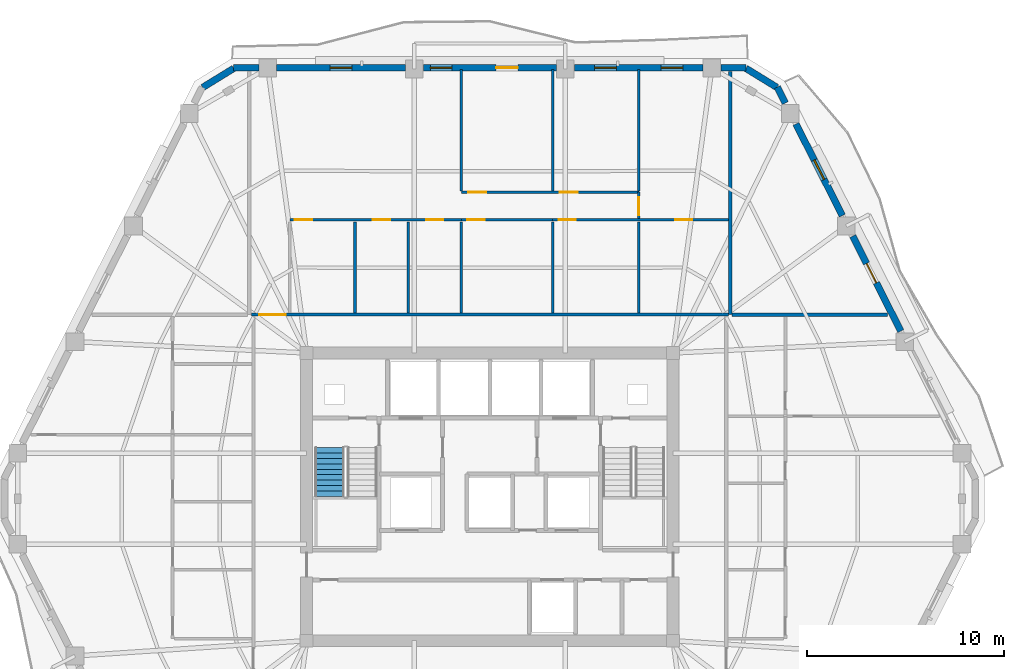
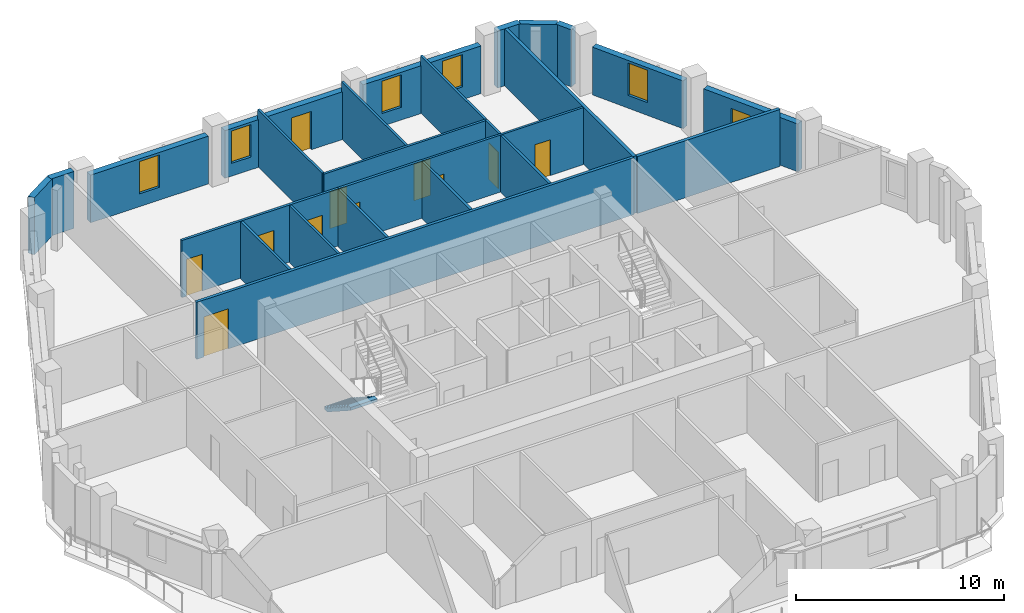
# One storey, part 7 of 12: 26 walls, 12 doors, 5 windows, 1 stair flight, 17 openings, 1 element without a shape of its own.
"""IFC4 building model written with IfcOpenShell, lengths in metres."""

import ifcopenshell
import ifcopenshell.guid

model = None  # the IFC model being written
_history = None  # IfcOwnerHistory: only IFC2X3 demands one
_inside = {}  # id of a spatial element -> (the spatial element, [elements in it])
_under = {}  # id of a project, library or spatial element -> (it, [spatial elements below it])
_declared = {}  # id of a project -> (the project, [libraries it declares])
_typed = {}  # id of a type object -> (the type object, [elements of that type])
_made_of = {}  # id of a material, layer set ... -> (it, [elements and type objects made of it])


def new_model(schema):
    """Start an empty IFC model of exactly this schema.

    Asked for "IFC4X3", IfcOpenShell would pick the latest addendum, in which some entities
    have other attributes; the version numbers below select the first issue.
    IFC2X3 requires an IfcOwnerHistory on every rooted entity: one is made here for all.
    """
    global model, _history
    if schema == "IFC4X3":
        model = ifcopenshell.file(schema_version=(4, 3, 0, 0))
    else:
        model = ifcopenshell.file(schema=schema)
    _inside.clear()
    _under.clear()
    _declared.clear()
    _typed.clear()
    _made_of.clear()
    _history = None
    if model.schema == "IFC2X3":
        org = make("IfcOrganization", Name="unknown")
        user = make(
            "IfcPersonAndOrganization",
            ThePerson=make("IfcPerson", FamilyName="unknown"),
            TheOrganization=org,
        )
        app = make(
            "IfcApplication",
            ApplicationDeveloper=org,
            Version="unknown",
            ApplicationFullName="unknown",
            ApplicationIdentifier="unknown",
        )
        _history = make(
            "IfcOwnerHistory",
            OwningUser=user,
            OwningApplication=app,
            ChangeAction="ADDED",
            CreationDate=0,
        )
    return model


def make(cls, **values):
    """One entity of the class cls with the attributes given. An attribute that is None is left unset."""
    return model.create_entity(
        cls, **{name: value for name, value in values.items() if value is not None}
    )


def rooted(cls, **values):
    """An entity with a GlobalId (a new one), such as an element, a storey or a relation."""
    return make(cls, GlobalId=ifcopenshell.guid.new(), OwnerHistory=_history, **values)


def si_unit(unit_type, name, prefix=None):
    """IfcSIUnit, for example si_unit("LENGTHUNIT", "METRE", prefix="MILLI")."""
    return make("IfcSIUnit", UnitType=unit_type, Prefix=prefix, Name=name)


def assignment(units):
    """IfcUnitAssignment: the units of a project."""
    return None if units is None else make("IfcUnitAssignment", Units=units)


def point(xyz):
    """IfcCartesianPoint."""
    return None if xyz is None else make("IfcCartesianPoint", Coordinates=xyz)


def direction(xyz):
    """IfcDirection."""
    return None if xyz is None else make("IfcDirection", DirectionRatios=xyz)


def frame(location, z_axis=None, x_axis=None):
    """IfcAxis2Placement3D, a coordinate frame: its origin and axes. An axis left out is left unset."""
    return make(
        "IfcAxis2Placement3D",
        Location=point(location),
        Axis=direction(z_axis),
        RefDirection=direction(x_axis),
    )


def frame_2d(location, x_axis=None):
    """IfcAxis2Placement2D, a coordinate frame in the plane: its origin and x axis."""
    return make(
        "IfcAxis2Placement2D", Location=point(location), RefDirection=direction(x_axis)
    )


def origin():
    """The frame at (0, 0, 0) with its axes left unset."""
    return frame((0.0, 0.0, 0.0))


def place(relative_to, where):
    """IfcLocalPlacement: puts the frame where relative to a parent placement (None: the world)."""
    return make(
        "IfcLocalPlacement", PlacementRelTo=relative_to, RelativePlacement=where
    )


def context(
    kind, dimensions, precision=None, world=None, true_north=None, identifier=None
):
    """IfcGeometricRepresentationContext, for example the 3D "Model" context."""
    return make(
        "IfcGeometricRepresentationContext",
        ContextIdentifier=identifier,
        ContextType=kind,
        CoordinateSpaceDimension=dimensions,
        Precision=precision,
        WorldCoordinateSystem=world,
        TrueNorth=true_north,
    )


def subcontext(parent, identifier, kind, view, scale=None):
    """IfcGeometricRepresentationSubContext, for example "Body" below "Model"."""
    return make(
        "IfcGeometricRepresentationSubContext",
        ContextIdentifier=identifier,
        ContextType=kind,
        ParentContext=parent,
        TargetScale=scale,
        TargetView=view,
    )


def project(units=None, contexts=None):
    """IfcProject with its units and contexts."""
    return rooted(
        "IfcProject",
        Name="project",
        RepresentationContexts=contexts,
        UnitsInContext=assignment(units),
    )


def spatial(cls, under=None, at=None, **own):
    """A site, building, storey or space (cls), placed at a placement, below another one or the project."""
    s = rooted(cls, ObjectPlacement=at, **own)
    if under is not None:
        _under.setdefault(under.id(), (under, []))[1].append(s)
    return s


def polyline(points):
    """IfcPolyline through the points."""
    return make("IfcPolyline", Points=[point(p) for p in points])


def profile(cls, at=None, kind="AREA", **sizes):
    """A parametric profile (cls). Its sizes go by their IFC names, for example OverallWidth=200.0."""
    return make(cls, ProfileType=kind, Position=at, **sizes)


def rectangle(**sizes):
    """IfcRectangleProfileDef."""
    return profile("IfcRectangleProfileDef", **sizes)


def outline(outer, holes=None, kind="AREA"):
    """IfcArbitraryClosedProfileDef: a profile drawn as a closed curve; with holes, ...WithVoids."""
    if holes is None:
        return make("IfcArbitraryClosedProfileDef", ProfileType=kind, OuterCurve=outer)
    return make(
        "IfcArbitraryProfileDefWithVoids",
        ProfileType=kind,
        OuterCurve=outer,
        InnerCurves=holes,
    )


def extrude(swept, where, along, depth):
    """IfcExtrudedAreaSolid: the profile swept, set in the frame where, extruded along a direction by depth."""
    return make(
        "IfcExtrudedAreaSolid",
        SweptArea=swept,
        Position=where,
        ExtrudedDirection=direction(along),
        Depth=depth,
    )


def shape(context_of_items, identifier, shape_type, items):
    """IfcShapeRepresentation: the items that make up one representation, for example the "Body"."""
    return make(
        "IfcShapeRepresentation",
        ContextOfItems=context_of_items,
        RepresentationIdentifier=identifier,
        RepresentationType=shape_type,
        Items=items,
    )


def material(Name=None, Category=None):
    """IfcMaterial."""
    return make("IfcMaterial", Name=Name, Category=Category)


def layer(
    of_material, thickness, ventilated=None, Name=None, Category=None, Priority=None
):
    """IfcMaterialLayer: one layer of a wall or slab, of a material (None: an air gap)."""
    return make(
        "IfcMaterialLayer",
        Material=of_material,
        LayerThickness=thickness,
        IsVentilated=ventilated,
        Name=Name,
        Category=Category,
        Priority=Priority,
    )


def layer_set(layers, Name=None):
    """IfcMaterialLayerSet."""
    return make("IfcMaterialLayerSet", MaterialLayers=layers, LayerSetName=Name)


def made_of(thing, what):
    """Note that an element or type object is made of a material, layer set ...; save() writes the relation."""
    if what is not None:
        _made_of.setdefault(what.id(), (what, []))[1].append(thing)
    return thing


def type_object(cls, material=None, **own):
    """A type object (cls), such as IfcWallType, which elements share."""
    return made_of(rooted(cls, **own), material)


def element(
    cls,
    number,
    at=None,
    inside=None,
    cuts=None,
    type_object=None,
    material=None,
    context=None,
    identifier="Body",
    shape_type=None,
    held_by="IfcProductDefinitionShape",
    body=None,
    shapes=None,
    **own,
):
    """One element of the class cls, such as IfcWall. Its Tag is "e" and its number.

    at: its placement. inside: the storey or other place that contains it. cuts: it is an
    opening in that element (IfcRelVoidsElement). A single representation is given by context,
    identifier, shape_type and body (its items); several are given by shapes. held_by: the class
    of the entity that holds the representations. save() writes the other relations.
    """
    e = rooted(cls, Tag="e%d" % number, ObjectPlacement=at, **own)
    if body is not None:
        shapes = [shape(context, identifier, shape_type, body)]
    if shapes is not None:
        e.Representation = make(held_by, Representations=shapes)
    if inside is not None:
        _inside.setdefault(inside.id(), (inside, []))[1].append(e)
    if cuts is not None:
        rooted(
            "IfcRelVoidsElement", RelatingBuildingElement=cuts, RelatedOpeningElement=e
        )
    if type_object is not None:
        _typed.setdefault(type_object.id(), (type_object, []))[1].append(e)
    return made_of(e, material)


def fill(opening, filler):
    """IfcRelFillsElement: the door or window that sits in an opening."""
    return rooted(
        "IfcRelFillsElement",
        RelatingOpeningElement=opening,
        RelatedBuildingElement=filler,
    )


def aggregate(whole, parts):
    """IfcRelAggregates: a whole, such as a stair, and the parts it consists of."""
    return rooted("IfcRelAggregates", RelatingObject=whole, RelatedObjects=parts)


def save(model, path):
    """Write the relations noted so far, then the file.

    IfcRelAggregates (storeys below a building ...), IfcRelContainedInSpatialStructure (elements
    in a storey), IfcRelDefinesByType, IfcRelAssociatesMaterial and IfcRelDeclares: one each for
    every whole, place, type object, material and project.
    """
    for whole, parts in _under.values():
        aggregate(whole, parts)
    for where, things in _inside.values():
        rooted(
            "IfcRelContainedInSpatialStructure",
            RelatedElements=things,
            RelatingStructure=where,
        )
    for kind, things in _typed.values():
        rooted("IfcRelDefinesByType", RelatedObjects=things, RelatingType=kind)
    for what, things in _made_of.values():
        rooted("IfcRelAssociatesMaterial", RelatedObjects=things, RelatingMaterial=what)
    for by, libraries in _declared.values():
        rooted("IfcRelDeclares", RelatingContext=by, RelatedDefinitions=libraries)
    model.write(path)


model = new_model("IFC4")

# Units and contexts
model_context = context("Model", 3, precision=1e-05, world=origin(), true_north=direction((0.0, 1.0)))
body_context = subcontext(model_context, "Body", "Model", "MODEL_VIEW")
ifc_project = project(units=[si_unit("LENGTHUNIT", "METRE"), si_unit("AREAUNIT", "SQUARE_METRE"), si_unit("VOLUMEUNIT", "CUBIC_METRE"), si_unit("PLANEANGLEUNIT", "RADIAN"), si_unit("MASSUNIT", "GRAM", prefix="KILO")], contexts=[model_context])

# Site, building, storey
site_placement = place(None, origin())
site = spatial("IfcSite", under=ifc_project, at=site_placement, CompositionType="ELEMENT")
building_placement = place(site_placement, origin())
building = spatial("IfcBuilding", under=site, at=building_placement, Name="Cinnabar Lancet Tower", CompositionType="ELEMENT")
storey_placement = place(building_placement, frame((0.0, 0.0, 157.050048828125)))
storey = spatial("IfcBuildingStorey", under=building, at=storey_placement, Name="L41", CompositionType="ELEMENT", Elevation=157.050048828125)

# Wall, opening, door
ifc_material_1 = material(Name="Acoustic twin-stud gypsum partition", Category="gypsum")
ifc_layer_1 = layer(ifc_material_1, 0.159912109375)
ifc_layer_set_1 = layer_set([ifc_layer_1], Name="Acoustic twin-stud gypsum partition")
wall_type_1 = type_object("IfcWallType", Name="ARC-WL-CORR-160", PredefinedType="PARTITIONING", material=ifc_layer_set_1)
wall_1_placement = place(storey_placement, frame((20.294921875, 35.14990234375, 0.0), z_axis=(0.0, 0.0, 1.0), x_axis=(1.0, 0.0, 0.0)))
wall_1 = element("IfcWall", 1, at=wall_1_placement, inside=storey, type_object=wall_type_1, Name="L41 Unit N01 Corridor Wall", PredefinedType="PARTITIONING", context=body_context, shape_type="SweptSolid", body=[
    extrude(rectangle(XDim=24.2099609375, YDim=0.159912109375, at=frame_2d((12.10498046875, 0.0))), origin(), (0.0, 0.0, 1.0), 3.33984375),
])
opening_1_placement = place(wall_1_placement, frame((0.405029296875, 0.0, 0.0)))
opening_1 = element("IfcOpeningElement", 2, at=opening_1_placement, cuts=wall_1, Name="Opening UD-02", PredefinedType="OPENING", context=body_context, shape_type="SweptSolid", body=[
    extrude(rectangle(XDim=1.35009765625, YDim=2.35009765625, at=frame_2d((0.675048828125, 1.175048828125))), frame((0.0, 0.08984375, 0.0), z_axis=(0.0, -1.0, 0.0), x_axis=(1.0, 0.0, 0.0)), (0.0, 0.0, 1.0), 0.179931640625),
])
ifc_material_2 = material(Name="Double-leaf solid timber penthouse entrance door", Category="wood")
door_type_1 = type_object("IfcDoorType", Name="ARC-DR-UNIT-PH", OperationType="NOTDEFINED", PredefinedType="DOOR", material=ifc_material_2)
door_1_placement = place(opening_1_placement, origin())
door_1 = element("IfcDoor", 3, at=door_1_placement, inside=storey, type_object=door_type_1, Name="DR-L41-N01-ENT", OperationType="SINGLE_SWING_RIGHT", OverallHeight=2.35009765625, OverallWidth=1.35009765625, PredefinedType="DOOR", context=body_context, shape_type="SweptSolid", body=[
    extrude(rectangle(XDim=1.35009765625, YDim=2.35009765625, at=frame_2d((0.675048828125, 1.175048828125))), frame((0.0, 0.02490234375, 0.0), z_axis=(0.0, -1.0, 0.0), x_axis=(1.0, 0.0, 0.0)), (0.0, 0.0, 1.0), 0.050048828125),
])
fill(opening_1, door_1)

# Walls
ifc_material_3 = material(Name="Fire-rated twin-frame acoustic drywall", Category="gypsum")
ifc_layer_2 = layer(ifc_material_3, 0.179931640625)
ifc_layer_set_2 = layer_set([ifc_layer_2], Name="Fire-rated twin-frame acoustic drywall")
wall_type_2 = type_object("IfcWallType", Name="ARC-WL-PARTY-180", PredefinedType="PARTITIONING", material=ifc_layer_set_2)
wall_2_placement = place(storey_placement, frame((44.60009765625, 35.14990234375, 0.0), z_axis=(0.0, 0.0, 1.0), x_axis=(0.0, 1.0, 0.0)))
element("IfcWall", 4, at=wall_2_placement, inside=storey, type_object=wall_type_2, Name="PW-L41-NPTY-446", PredefinedType="PARTITIONING", context=body_context, shape_type="SweptSolid", body=[
    extrude(rectangle(XDim=12.34521484375, YDim=0.179931640625, at=frame_2d((6.172607421875, 0.0))), origin(), (0.0, 0.0, 1.0), 3.33984375),
])
wall_3_placement = place(storey_placement, frame((44.695068359375, 35.14990234375, 0.0), z_axis=(0.0, 0.0, 1.0), x_axis=(1.0, 0.0, 0.0)))
element("IfcWall", 5, at=wall_3_placement, inside=storey, type_object=wall_type_2, Name="PW-L41-ENB", PredefinedType="PARTITIONING", context=body_context, shape_type="SweptSolid", body=[
    extrude(rectangle(XDim=7.89501953125, YDim=0.179931640625, at=frame_2d((3.947509765625, 0.0))), origin(), (0.0, 0.0, 1.0), 3.33984375),
])

# Wall, openings, doors
ifc_material_4 = material(Name="Gypsum plasterboard stud partition", Category="gypsum")
ifc_layer_3 = layer(ifc_material_4, 0.125)
ifc_layer_set_3 = layer_set([ifc_layer_3], Name="Gypsum plasterboard stud partition")
wall_type_3 = type_object("IfcWallType", Name="ARC-WL-UNIT-125", PredefinedType="PARTITIONING", material=ifc_layer_set_3)
wall_4_placement = place(storey_placement, frame((35.591064453125, 39.965087890625, 0.0), z_axis=(0.0, 0.0, 1.0), x_axis=(1.0, 0.0, 0.0)))
wall_4 = element("IfcWall", 6, at=wall_4_placement, inside=storey, type_object=wall_type_3, Name="UW-L41-N01-SP2", PredefinedType="PARTITIONING", context=body_context, shape_type="SweptSolid", body=[
    extrude(rectangle(XDim=8.913818359375, YDim=0.125, at=frame_2d((4.45703125, 0.0))), origin(), (0.0, 0.0, 1.0), 3.33984375),
])
opening_2_placement = place(wall_4_placement, frame((6.216064453125, 0.0, 0.0)))
opening_2 = element("IfcOpeningElement", 7, at=opening_2_placement, cuts=wall_4, Name="Opening BD-01", PredefinedType="OPENING", context=body_context, shape_type="SweptSolid", body=[
    extrude(rectangle(XDim=0.860107421875, YDim=2.10009765625, at=frame_2d((0.43017578125, 1.050048828125))), frame((0.0, 0.072509765625, 0.0), z_axis=(0.0, -1.0, 0.0), x_axis=(1.0, 0.0, 0.0)), (0.0, 0.0, 1.0), 0.14501953125),
])
opening_3_placement = place(wall_4_placement, frame((0.300048828125, 0.0, 0.0)))
opening_3 = element("IfcOpeningElement", 8, at=opening_3_placement, cuts=wall_4, Name="Opening RD-02", PredefinedType="OPENING", context=body_context, shape_type="SweptSolid", body=[
    extrude(rectangle(XDim=0.8798828125, YDim=2.14990234375, at=frame_2d((0.43994140625, 1.074951171875))), frame((0.0, 0.072509765625, 0.0), z_axis=(0.0, -1.0, 0.0), x_axis=(1.0, 0.0, 0.0)), (0.0, 0.0, 1.0), 0.14501953125),
])
ifc_material_5 = material(Name="Moisture-resistant timber bathroom door", Category="wood")
door_type_2 = type_object("IfcDoorType", Name="ARC-DR-BATH", OperationType="NOTDEFINED", PredefinedType="DOOR", material=ifc_material_5)
door_2_placement = place(opening_2_placement, origin())
door_2 = element("IfcDoor", 9, at=door_2_placement, inside=storey, type_object=door_type_2, Name="DR-L41-N01-ENS", OperationType="SINGLE_SWING_LEFT", OverallHeight=2.10009765625, OverallWidth=0.860107421875, PredefinedType="DOOR", context=body_context, shape_type="SweptSolid", body=[
    extrude(rectangle(XDim=0.860107421875, YDim=2.10009765625, at=frame_2d((0.43017578125, 1.050048828125))), frame((0.0, 0.02490234375, 0.0), z_axis=(0.0, -1.0, 0.0), x_axis=(1.0, 0.0, 0.0)), (0.0, 0.0, 1.0), 0.050048828125),
])
fill(opening_2, door_2)
ifc_material_6 = material(Name="Engineered timber study door", Category="wood")
door_type_3 = type_object("IfcDoorType", Name="ARC-DR-STUDY", OperationType="NOTDEFINED", PredefinedType="DOOR", material=ifc_material_6)
door_3_placement = place(opening_3_placement, origin())
door_3 = element("IfcDoor", 10, at=door_3_placement, inside=storey, type_object=door_type_3, Name="DR-L41-N01-DRS", OperationType="SINGLE_SWING_RIGHT", OverallHeight=2.14990234375, OverallWidth=0.8798828125, PredefinedType="DOOR", context=body_context, shape_type="SweptSolid", body=[
    extrude(rectangle(XDim=0.8798828125, YDim=2.14990234375, at=frame_2d((0.43994140625, 1.074951171875))), frame((0.0, 0.02490234375, 0.0), z_axis=(0.0, -1.0, 0.0), x_axis=(1.0, 0.0, 0.0)), (0.0, 0.0, 1.0), 0.050048828125),
])
fill(opening_3, door_3)

# Walls
wall_5_placement = place(storey_placement, frame((28.2529296875, 35.235107421875, 0.0), z_axis=(0.0, 0.0, 1.0), x_axis=(0.0, 1.0, 0.0)))
element("IfcWall", 11, at=wall_5_placement, inside=storey, type_object=wall_type_3, Name="UW-L41-N01-STD", PredefinedType="PARTITIONING", context=body_context, shape_type="SweptSolid", body=[
    extrude(rectangle(XDim=4.625, YDim=0.125, at=frame_2d((2.3125, 0.0))), origin(), (0.0, 0.0, 1.0), 3.33984375),
])
wall_6_placement = place(storey_placement, frame((30.949951171875, 41.429931640625, 0.0), z_axis=(0.0, 0.0, 1.0), x_axis=(0.0, 1.0, 0.0)))
element("IfcWall", 12, at=wall_6_placement, inside=storey, type_object=wall_type_3, Name="UW-L41-N01-BD2W", PredefinedType="PARTITIONING", context=body_context, shape_type="SweptSolid", body=[
    extrude(rectangle(XDim=6.155029296875, YDim=0.125, at=frame_2d((3.07763671875, 0.0))), origin(), (0.0, 0.0, 1.0), 3.33984375),
])

# Wall, openings, doors
wall_7_placement = place(storey_placement, frame((30.949951171875, 41.364990234375, 0.0), z_axis=(0.0, 0.0, 1.0), x_axis=(1.0, 0.0, 0.0)))
wall_7 = element("IfcWall", 13, at=wall_7_placement, inside=storey, type_object=wall_type_3, Name="UW-L41-N01-HLN", PredefinedType="PARTITIONING", context=body_context, shape_type="SweptSolid", body=[
    extrude(rectangle(XDim=9.009033203125, YDim=0.125, at=frame_2d((4.50439453125, 0.0))), origin(), (0.0, 0.0, 1.0), 3.33984375),
])
opening_4_placement = place(wall_7_placement, frame((0.35009765625, 0.0, 0.0)))
opening_4 = element("IfcOpeningElement", 14, at=opening_4_placement, cuts=wall_7, Name="Opening RD-01", PredefinedType="OPENING", context=body_context, shape_type="SweptSolid", body=[
    extrude(rectangle(XDim=0.919921875, YDim=2.14990234375, at=frame_2d((0.4599609375, 1.074951171875))), frame((0.0, 0.072509765625, 0.0), z_axis=(0.0, -1.0, 0.0), x_axis=(1.0, 0.0, 0.0)), (0.0, 0.0, 1.0), 0.14501953125),
])
opening_5_placement = place(wall_7_placement, frame((4.990966796875, 0.0, 0.0)))
opening_5 = element("IfcOpeningElement", 15, at=opening_5_placement, cuts=wall_7, Name="Opening RD-01", PredefinedType="OPENING", context=body_context, shape_type="SweptSolid", body=[
    extrude(rectangle(XDim=0.919921875, YDim=2.14990234375, at=frame_2d((0.4599609375, 1.074951171875))), frame((0.0, 0.072509765625, 0.0), z_axis=(0.0, -1.0, 0.0), x_axis=(1.0, 0.0, 0.0)), (0.0, 0.0, 1.0), 0.14501953125),
])
ifc_material_7 = material(Name="Engineered timber bedroom door", Category="wood")
door_type_4 = type_object("IfcDoorType", Name="ARC-DR-ROOM", OperationType="NOTDEFINED", PredefinedType="DOOR", material=ifc_material_7)
door_4_placement = place(opening_4_placement, origin())
door_4 = element("IfcDoor", 16, at=door_4_placement, inside=storey, type_object=door_type_4, Name="DR-L41-N01-BD2", OperationType="SINGLE_SWING_LEFT", OverallHeight=2.14990234375, OverallWidth=0.919921875, PredefinedType="DOOR", context=body_context, shape_type="SweptSolid", body=[
    extrude(rectangle(XDim=0.919921875, YDim=2.14990234375, at=frame_2d((0.4599609375, 1.074951171875))), frame((0.0, 0.02490234375, 0.0), z_axis=(0.0, -1.0, 0.0), x_axis=(1.0, 0.0, 0.0)), (0.0, 0.0, 1.0), 0.050048828125),
])
fill(opening_4, door_4)
door_5_placement = place(opening_5_placement, origin())
door_5 = element("IfcDoor", 17, at=door_5_placement, inside=storey, type_object=door_type_4, Name="DR-L41-N01-BD3", OperationType="SINGLE_SWING_RIGHT", OverallHeight=2.14990234375, OverallWidth=0.919921875, PredefinedType="DOOR", context=body_context, shape_type="SweptSolid", body=[
    extrude(rectangle(XDim=0.919921875, YDim=2.14990234375, at=frame_2d((0.4599609375, 1.074951171875))), frame((0.0, 0.02490234375, 0.0), z_axis=(0.0, -1.0, 0.0), x_axis=(1.0, 0.0, 0.0)), (0.0, 0.0, 1.0), 0.050048828125),
])
fill(opening_5, door_5)

# Wall, opening, door
wall_8_placement = place(storey_placement, frame((39.958984375, 40.034912109375, 0.0), z_axis=(0.0, 0.0, 1.0), x_axis=(0.0, 1.0, 0.0)))
wall_8 = element("IfcWall", 18, at=wall_8_placement, inside=storey, type_object=wall_type_3, Name="UW-L41-N01-MBE", PredefinedType="PARTITIONING", context=body_context, shape_type="SweptSolid", body=[
    extrude(rectangle(XDim=1.330078125, YDim=0.125, at=frame_2d((0.6650390625, 0.0))), origin(), (0.0, 0.0, 1.0), 3.33984375),
])
opening_6_placement = place(wall_8_placement, frame((0.159912109375, 0.0, 0.0)))
opening_6 = element("IfcOpeningElement", 19, at=opening_6_placement, cuts=wall_8, Name="Opening RD-01", PredefinedType="OPENING", context=body_context, shape_type="SweptSolid", body=[
    extrude(rectangle(XDim=0.919921875, YDim=2.14990234375, at=frame_2d((0.4599609375, 1.074951171875))), frame((0.0, 0.072509765625, 0.0), z_axis=(0.0, -1.0, 0.0), x_axis=(1.0, 0.0, 0.0)), (0.0, 0.0, 1.0), 0.14501953125),
])
door_6_placement = place(opening_6_placement, origin())
door_6 = element("IfcDoor", 20, at=door_6_placement, inside=storey, type_object=door_type_4, Name="DR-L41-N01-MBD", OperationType="SINGLE_SWING_LEFT", OverallHeight=2.14990234375, OverallWidth=0.919921875, PredefinedType="DOOR", context=body_context, shape_type="SweptSolid", body=[
    extrude(rectangle(XDim=0.919921875, YDim=2.14990234375, at=frame_2d((0.4599609375, 1.074951171875))), frame((0.0, 0.02490234375, 0.0), z_axis=(0.0, -1.0, 0.0), x_axis=(1.0, 0.0, 0.0)), (0.0, 0.0, 1.0), 0.050048828125),
])
fill(opening_6, door_6)

# Walls
for number, where, z_axis, x_axis, name in (
    (21, (35.591064453125, 41.429931640625, 0.0), (0.0, 0.0, 1.0), (0.0, 1.0, 0.0), "UW-L41-N01-MB2W"),
    (22, (39.958984375, 41.429931640625, 0.0), (0.0, 0.0, 1.0), (0.0, 1.0, 0.0), "UW-L41-N01-B23W"),
):
    element("IfcWall", number, at=place(storey_placement, frame(where, z_axis=z_axis, x_axis=x_axis)), inside=storey, type_object=wall_type_3, Name=name, PredefinedType="PARTITIONING", context=body_context, shape_type="SweptSolid", body=[
        extrude(rectangle(XDim=6.155029296875, YDim=0.125, at=frame_2d((3.07763671875, 0.0))), origin(), (0.0, 0.0, 1.0), 3.33984375),
    ])

# Wall, openings, doors
ifc_material_8 = material(Name="Moisture-resistant cement-board plumbing wall", Category="masonry")
ifc_layer_4 = layer(ifc_material_8, 0.139892578125)
ifc_layer_set_4 = layer_set([ifc_layer_4], Name="Moisture-resistant cement-board plumbing wall")
wall_type_4 = type_object("IfcWallType", Name="ARC-WL-WET-140", PredefinedType="PLUMBINGWALL", material=ifc_layer_set_4)
wall_9_placement = place(storey_placement, frame((22.25, 39.965087890625, 0.0), z_axis=(0.0, 0.0, 1.0), x_axis=(1.0, 0.0, 0.0)))
wall_9 = element("IfcWall", 23, at=wall_9_placement, inside=storey, type_object=wall_type_4, Name="UW-L41-N01-SPL", PredefinedType="PLUMBINGWALL", context=body_context, shape_type="SweptSolid", body=[
    extrude(rectangle(XDim=8.699951171875, YDim=0.139892578125, at=frame_2d((4.35009765625, 0.0))), origin(), (0.0, 0.0, 1.0), 3.33984375),
])
opening_7_placement = place(wall_9_placement, frame((6.926025390625, 0.0, 0.0)))
opening_7 = element("IfcOpeningElement", 24, at=opening_7_placement, cuts=wall_9, Name="Opening BD-01", PredefinedType="OPENING", context=body_context, shape_type="SweptSolid", body=[
    extrude(rectangle(XDim=0.860107421875, YDim=2.10009765625, at=frame_2d((0.43017578125, 1.050048828125))), frame((0.0, 0.079833984375, 0.0), z_axis=(0.0, -1.0, 0.0), x_axis=(1.0, 0.0, 0.0)), (0.0, 0.0, 1.0), 0.159912109375),
])
opening_8_placement = place(wall_9_placement, frame((0.260009765625, 0.0, 0.0)))
opening_8 = element("IfcOpeningElement", 25, at=opening_8_placement, cuts=wall_9, Name="Opening RD-02", PredefinedType="OPENING", context=body_context, shape_type="SweptSolid", body=[
    extrude(rectangle(XDim=0.8798828125, YDim=2.14990234375, at=frame_2d((0.43994140625, 1.074951171875))), frame((0.0, 0.079833984375, 0.0), z_axis=(0.0, -1.0, 0.0), x_axis=(1.0, 0.0, 0.0)), (0.0, 0.0, 1.0), 0.159912109375),
])
opening_9_placement = place(wall_9_placement, frame((4.215087890625, 0.0, 0.0)))
opening_9 = element("IfcOpeningElement", 26, at=opening_9_placement, cuts=wall_9, Name="Opening RD-02", PredefinedType="OPENING", context=body_context, shape_type="SweptSolid", body=[
    extrude(rectangle(XDim=0.8798828125, YDim=2.14990234375, at=frame_2d((0.43994140625, 1.074951171875))), frame((0.0, 0.079833984375, 0.0), z_axis=(0.0, -1.0, 0.0), x_axis=(1.0, 0.0, 0.0)), (0.0, 0.0, 1.0), 0.159912109375),
])
door_7_placement = place(opening_7_placement, origin())
door_7 = element("IfcDoor", 27, at=door_7_placement, inside=storey, type_object=door_type_2, Name="DR-L41-N01-BTH", OperationType="SINGLE_SWING_LEFT", OverallHeight=2.10009765625, OverallWidth=0.860107421875, PredefinedType="DOOR", context=body_context, shape_type="SweptSolid", body=[
    extrude(rectangle(XDim=0.860107421875, YDim=2.10009765625, at=frame_2d((0.43017578125, 1.050048828125))), frame((0.0, 0.02490234375, 0.0), z_axis=(0.0, -1.0, 0.0), x_axis=(1.0, 0.0, 0.0)), (0.0, 0.0, 1.0), 0.050048828125),
])
fill(opening_7, door_7)
door_8_placement = place(opening_8_placement, origin())
door_8 = element("IfcDoor", 28, at=door_8_placement, inside=storey, type_object=door_type_3, Name="DR-L41-N01-KIT", OperationType="SINGLE_SWING_LEFT", OverallHeight=2.14990234375, OverallWidth=0.8798828125, PredefinedType="DOOR", context=body_context, shape_type="SweptSolid", body=[
    extrude(rectangle(XDim=0.8798828125, YDim=2.14990234375, at=frame_2d((0.43994140625, 1.074951171875))), frame((0.0, 0.02490234375, 0.0), z_axis=(0.0, -1.0, 0.0), x_axis=(1.0, 0.0, 0.0)), (0.0, 0.0, 1.0), 0.050048828125),
])
fill(opening_8, door_8)
door_9_placement = place(opening_9_placement, origin())
door_9 = element("IfcDoor", 29, at=door_9_placement, inside=storey, type_object=door_type_3, Name="DR-L41-N01-STD", OperationType="SINGLE_SWING_RIGHT", OverallHeight=2.14990234375, OverallWidth=0.8798828125, PredefinedType="DOOR", context=body_context, shape_type="SweptSolid", body=[
    extrude(rectangle(XDim=0.8798828125, YDim=2.14990234375, at=frame_2d((0.43994140625, 1.074951171875))), frame((0.0, 0.02490234375, 0.0), z_axis=(0.0, -1.0, 0.0), x_axis=(1.0, 0.0, 0.0)), (0.0, 0.0, 1.0), 0.050048828125),
])
fill(opening_9, door_9)

# Wall, opening, door
wall_10_placement = place(storey_placement, frame((30.949951171875, 39.965087890625, 0.0), z_axis=(0.0, 0.0, 1.0), x_axis=(1.0, 0.0, 0.0)))
wall_10 = element("IfcWall", 30, at=wall_10_placement, inside=storey, type_object=wall_type_4, Name="UW-L41-N01-SPM", PredefinedType="PLUMBINGWALL", context=body_context, shape_type="SweptSolid", body=[
    extrude(rectangle(XDim=4.64111328125, YDim=0.139892578125, at=frame_2d((2.320556640625, 0.0))), origin(), (0.0, 0.0, 1.0), 3.33984375),
])
opening_10_placement = place(wall_10_placement, frame((0.300048828125, 0.0, 0.0)))
opening_10 = element("IfcOpeningElement", 31, at=opening_10_placement, cuts=wall_10, Name="Opening RD-02", PredefinedType="OPENING", context=body_context, shape_type="SweptSolid", body=[
    extrude(rectangle(XDim=0.8798828125, YDim=2.14990234375, at=frame_2d((0.43994140625, 1.074951171875))), frame((0.0, 0.079833984375, 0.0), z_axis=(0.0, -1.0, 0.0), x_axis=(1.0, 0.0, 0.0)), (0.0, 0.0, 1.0), 0.159912109375),
])
door_10_placement = place(opening_10_placement, origin())
door_10 = element("IfcDoor", 32, at=door_10_placement, inside=storey, type_object=door_type_3, Name="DR-L41-N01-UTL", OperationType="SINGLE_SWING_RIGHT", OverallHeight=2.14990234375, OverallWidth=0.8798828125, PredefinedType="DOOR", context=body_context, shape_type="SweptSolid", body=[
    extrude(rectangle(XDim=0.8798828125, YDim=2.14990234375, at=frame_2d((0.43994140625, 1.074951171875))), frame((0.0, 0.02490234375, 0.0), z_axis=(0.0, -1.0, 0.0), x_axis=(1.0, 0.0, 0.0)), (0.0, 0.0, 1.0), 0.050048828125),
])
fill(opening_10, door_10)

# Walls
for number, where, z_axis, x_axis, name in (
    (33, (25.555908203125, 35.235107421875, 0.0), (0.0, 0.0, 1.0), (0.0, 1.0, 0.0), "UW-L41-N01-KDV"),
    (34, (30.949951171875, 35.235107421875, 0.0), (0.0, 0.0, 1.0), (0.0, 1.0, 0.0), "UW-L41-N01-ENSW"),
    (35, (35.591064453125, 35.235107421875, 0.0), (0.0, 0.0, 1.0), (0.0, 1.0, 0.0), "UW-L41-N01-ENSE"),
    (36, (39.958984375, 35.235107421875, 0.0), (0.0, 0.0, 1.0), (0.0, 1.0, 0.0), "UW-L41-N01-UT3"),
):
    element("IfcWall", number, at=place(storey_placement, frame(where, z_axis=z_axis, x_axis=x_axis)), inside=storey, type_object=wall_type_4, Name=name, PredefinedType="PLUMBINGWALL", context=body_context, shape_type="SweptSolid", body=[
        extrude(rectangle(XDim=4.625, YDim=0.139892578125, at=frame_2d((2.3125, 0.0))), origin(), (0.0, 0.0, 1.0), 3.33984375),
    ])
ifc_material_9 = material(Name="Cinnabar red clay brick", Category="masonry")
ifc_layer_5 = layer(ifc_material_9, 0.340087890625)
ifc_layer_set_5 = layer_set([ifc_layer_5], Name="Cinnabar red clay brick")
wall_type_5 = type_object("IfcWallType", Name="ENV-WL-BRK-RED-340", PredefinedType="STANDARD", material=ifc_layer_set_5)
for number, where, z_axis, x_axis, name in (
    (37, (46.970947265625, 46.677001953125, 0.0), (0.0, 0.0, 1.0), (-0.851798915137, 0.523868884523, 0.0), "L41 Chamfered Corner Brick Pier 4.1"),
    (38, (19.403076171875, 47.64501953125, 0.0), (0.0, 0.0, 1.0), (-0.851798915137, -0.523868884523, 0.0), "L41 Chamfered Corner Brick Pier 5.1"),
):
    element("IfcWall", number, at=place(storey_placement, frame(where, z_axis=z_axis, x_axis=x_axis)), inside=storey, type_object=wall_type_5, Name=name, PredefinedType="STANDARD", context=body_context, shape_type="SweptSolid", body=[
        extrude(rectangle(XDim=1.847900390625, YDim=0.340087890625, at=frame_2d((0.923828125, 0.0))), origin(), (0.0, 0.0, 1.0), 3.33984375),
    ])

# Wall, opening, door
wall_11_placement = place(storey_placement, frame((53.258056640625, 34.306884765625, 0.0), z_axis=(0.0, 0.0, 1.0), x_axis=(-0.451491174807, 0.892275584711, 0.0)))
wall_11 = element("IfcWall", 39, at=wall_11_placement, inside=storey, type_object=wall_type_5, Name="L41 Face 3 Masonry Bay Wall 3", PredefinedType="STANDARD", context=body_context, shape_type="SweptSolid", body=[
    extrude(rectangle(XDim=5.404296875, YDim=0.340087890625, at=frame_2d((2.7021484375, 0.0))), origin(), (0.0, 0.0, 1.0), 2.796875),
])
opening_11_placement = place(wall_11_placement, frame((2.7490234375, 0.0, 0.0)))
opening_11 = element("IfcOpeningElement", 40, at=opening_11_placement, cuts=wall_11, Name="Opening TD-01", PredefinedType="OPENING", context=body_context, shape_type="SweptSolid", body=[
    extrude(rectangle(XDim=1.10009765625, YDim=2.25, at=frame_2d((0.550048828125, 1.125))), frame((0.0, 0.179931640625, 0.0), z_axis=(0.0, -1.0, 0.0), x_axis=(1.0, 0.0, 0.0)), (0.0, 0.0, 1.0), 0.360107421875),
])
ifc_material_10 = material(Name="Thermally broken low-E glazed balcony terrace door", Category="wood")
door_type_5 = type_object("IfcDoorType", Name="ARC-DR-BALC", OperationType="NOTDEFINED", PredefinedType="DOOR", material=ifc_material_10)
door_11_placement = place(opening_11_placement, origin())
door_11 = element("IfcDoor", 41, at=door_11_placement, inside=storey, type_object=door_type_5, Name="L41 Face 3 Glazed Terrace Door", OperationType="SINGLE_SWING_LEFT", OverallHeight=2.25, OverallWidth=1.10009765625, PredefinedType="DOOR", context=body_context, shape_type="SweptSolid", body=[
    extrude(rectangle(XDim=1.10009765625, YDim=2.25, at=frame_2d((0.550048828125, 1.125))), frame((0.0, 0.02490234375, 0.0), z_axis=(0.0, -1.0, 0.0), x_axis=(1.0, 0.0, 0.0)), (0.0, 0.0, 1.0), 0.050048828125),
])
fill(opening_11, door_11)

# Wall, opening, window
wall_12_placement = place(storey_placement, frame((50.2890625, 40.176025390625, 0.0), z_axis=(0.0, 0.0, 1.0), x_axis=(-0.451595734115, 0.892222670038, 0.0)))
wall_12 = element("IfcWall", 42, at=wall_12_placement, inside=storey, type_object=wall_type_5, Name="L41 Face 3 Masonry Bay Wall 4", PredefinedType="STANDARD", context=body_context, shape_type="SweptSolid", body=[
    extrude(rectangle(XDim=5.208251953125, YDim=0.340087890625, at=frame_2d((2.60400390625, 0.0))), origin(), (0.0, 0.0, 1.0), 2.796875),
])
opening_12_placement = place(wall_12_placement, frame((2.053955078125, 0.0, 0.75)))
opening_12 = element("IfcOpeningElement", 43, at=opening_12_placement, cuts=wall_12, Name="Opening WN-04", PredefinedType="OPENING", context=body_context, shape_type="SweptSolid", body=[
    extrude(rectangle(XDim=1.10009765625, YDim=1.89697265625, at=frame_2d((0.550048828125, 0.948486328125))), frame((0.0, 0.179931640625, 0.0), z_axis=(0.0, -1.0, 0.0), x_axis=(1.0, 0.0, 0.0)), (0.0, 0.0, 1.0), 0.360107421875),
])
ifc_material_11 = material(Name="Thermally broken bronze-anodized aluminium tall lancet window", Category="aluminium")
window_type = type_object("IfcWindowType", Name="ENV-WN-LANCET-1100", PartitioningType="SINGLE_PANEL", PredefinedType="WINDOW", material=ifc_material_11)
window_1_placement = place(opening_12_placement, origin())
window_1 = element("IfcWindow", 44, at=window_1_placement, inside=storey, type_object=window_type, Name="L41 Face 3 Gothic Lancet Window 4", OverallHeight=1.89697265625, OverallWidth=1.10009765625, PartitioningType="SINGLE_PANEL", PredefinedType="WINDOW", context=body_context, shape_type="SweptSolid", body=[
    extrude(rectangle(XDim=1.10009765625, YDim=1.89697265625, at=frame_2d((0.550048828125, 0.948486328125))), frame((0.0, 0.030029296875, 0.0), z_axis=(0.0, -1.0, 0.0), x_axis=(1.0, 0.0, 0.0)), (0.0, 0.0, 1.0), 0.06005859375),
])
fill(opening_12, window_1)

# Walls
wall_13_placement = place(storey_placement, frame((47.39990234375, 45.885009765625, 0.0), z_axis=(0.0, 0.0, 1.0), x_axis=(-0.451521436551, 0.892260271633, 0.0)))
element("IfcWall", 45, at=wall_13_placement, inside=storey, type_object=wall_type_5, Name="L41 Face 3 Masonry Bay Wall 5", PredefinedType="STANDARD", context=body_context, shape_type="SweptSolid", body=[
    extrude(rectangle(XDim=0.90576171875, YDim=0.340087890625, at=frame_2d((0.452880859375, 0.0))), origin(), (0.0, 0.0, 1.0), 3.33984375),
])
wall_14_placement = place(storey_placement, frame((45.402099609375, 47.669921875, 0.0), z_axis=(0.0, 0.0, 1.0), x_axis=(-1.0, 0.0, 0.0)))
element("IfcWall", 46, at=wall_14_placement, inside=storey, type_object=wall_type_5, Name="L41 Face 4 Masonry Bay Wall 1", PredefinedType="STANDARD", context=body_context, shape_type="SweptSolid", body=[
    extrude(rectangle(XDim=1.279052734375, YDim=0.340087890625, at=frame_2d((0.6396484375, 0.0))), origin(), (0.0, 0.0, 1.0), 3.33984375),
])

# Wall, openings, windows
wall_15_placement = place(storey_placement, frame((43.215087890625, 47.669921875, 0.0), z_axis=(0.0, 0.0, 1.0), x_axis=(-1.0, 0.0, 0.0)))
wall_15 = element("IfcWall", 47, at=wall_15_placement, inside=storey, type_object=wall_type_5, Name="L41 Face 4 Masonry Bay Wall 2", PredefinedType="STANDARD", context=body_context, shape_type="SweptSolid", body=[
    extrude(rectangle(XDim=6.529052734375, YDim=0.340087890625, at=frame_2d((3.2646484375, 0.0))), origin(), (0.0, 0.0, 1.0), 2.796875),
])
opening_13_placement = place(wall_15_placement, frame((1.02197265625, 0.0, 0.75)))
opening_13 = element("IfcOpeningElement", 48, at=opening_13_placement, cuts=wall_15, Name="Opening WN-04", PredefinedType="OPENING", context=body_context, shape_type="SweptSolid", body=[
    extrude(rectangle(XDim=1.10009765625, YDim=1.89697265625, at=frame_2d((0.550048828125, 0.948486328125))), frame((0.0, 0.179931640625, 0.0), z_axis=(0.0, -1.0, 0.0), x_axis=(1.0, 0.0, 0.0)), (0.0, 0.0, 1.0), 0.360107421875),
])
opening_14_placement = place(wall_15_placement, frame((4.39892578125, 0.0, 0.75)))
opening_14 = element("IfcOpeningElement", 49, at=opening_14_placement, cuts=wall_15, Name="Opening WN-04", PredefinedType="OPENING", context=body_context, shape_type="SweptSolid", body=[
    extrude(rectangle(XDim=1.10009765625, YDim=1.89697265625, at=frame_2d((0.550048828125, 0.948486328125))), frame((0.0, 0.179931640625, 0.0), z_axis=(0.0, -1.0, 0.0), x_axis=(1.0, 0.0, 0.0)), (0.0, 0.0, 1.0), 0.360107421875),
])
window_2_placement = place(opening_13_placement, origin())
window_2 = element("IfcWindow", 50, at=window_2_placement, inside=storey, type_object=window_type, Name="L41 Face 4 Gothic Lancet Window 2", OverallHeight=1.89697265625, OverallWidth=1.10009765625, PartitioningType="SINGLE_PANEL", PredefinedType="WINDOW", context=body_context, shape_type="SweptSolid", body=[
    extrude(rectangle(XDim=1.10009765625, YDim=1.89697265625, at=frame_2d((0.550048828125, 0.948486328125))), frame((0.0, 0.030029296875, 0.0), z_axis=(0.0, -1.0, 0.0), x_axis=(1.0, 0.0, 0.0)), (0.0, 0.0, 1.0), 0.06005859375),
])
fill(opening_13, window_2)
window_3_placement = place(opening_14_placement, origin())
window_3 = element("IfcWindow", 51, at=window_3_placement, inside=storey, type_object=window_type, Name="L41 Split-Bay Gothic Lancet Window 118", OverallHeight=1.89697265625, OverallWidth=1.10009765625, PartitioningType="SINGLE_PANEL", PredefinedType="WINDOW", context=body_context, shape_type="SweptSolid", body=[
    extrude(rectangle(XDim=1.10009765625, YDim=1.89697265625, at=frame_2d((0.550048828125, 0.948486328125))), frame((0.0, 0.030029296875, 0.0), z_axis=(0.0, -1.0, 0.0), x_axis=(1.0, 0.0, 0.0)), (0.0, 0.0, 1.0), 0.06005859375),
])
fill(opening_14, window_3)

# Wall, openings, door, window
wall_16_placement = place(storey_placement, frame((35.778076171875, 47.669921875, 0.0), z_axis=(0.0, 0.0, 1.0), x_axis=(-1.0, 0.0, 0.0)))
wall_16 = element("IfcWall", 52, at=wall_16_placement, inside=storey, type_object=wall_type_5, Name="L41 Face 4 Masonry Bay Wall 3", PredefinedType="STANDARD", context=body_context, shape_type="SweptSolid", body=[
    extrude(rectangle(XDim=6.756103515625, YDim=0.340087890625, at=frame_2d((3.3779296875, 0.0))), origin(), (0.0, 0.0, 1.0), 2.796875),
])
opening_15_placement = place(wall_16_placement, frame((1.95703125, 0.0, 0.0)))
opening_15 = element("IfcOpeningElement", 53, at=opening_15_placement, cuts=wall_16, Name="Opening TD-01", PredefinedType="OPENING", context=body_context, shape_type="SweptSolid", body=[
    extrude(rectangle(XDim=1.10009765625, YDim=2.25, at=frame_2d((0.550048828125, 1.125))), frame((0.0, 0.179931640625, 0.0), z_axis=(0.0, -1.0, 0.0), x_axis=(1.0, 0.0, 0.0)), (0.0, 0.0, 1.0), 0.360107421875),
])
opening_16_placement = place(wall_16_placement, frame((5.298095703125, 0.0, 0.75)))
opening_16 = element("IfcOpeningElement", 54, at=opening_16_placement, cuts=wall_16, Name="Opening WN-04", PredefinedType="OPENING", context=body_context, shape_type="SweptSolid", body=[
    extrude(rectangle(XDim=1.10009765625, YDim=1.89697265625, at=frame_2d((0.550048828125, 0.948486328125))), frame((0.0, 0.179931640625, 0.0), z_axis=(0.0, -1.0, 0.0), x_axis=(1.0, 0.0, 0.0)), (0.0, 0.0, 1.0), 0.360107421875),
])
door_12_placement = place(opening_15_placement, origin())
door_12 = element("IfcDoor", 55, at=door_12_placement, inside=storey, type_object=door_type_5, Name="L41 Face 4 Glazed Terrace Door", OperationType="SINGLE_SWING_RIGHT", OverallHeight=2.25, OverallWidth=1.10009765625, PredefinedType="DOOR", context=body_context, shape_type="SweptSolid", body=[
    extrude(rectangle(XDim=1.10009765625, YDim=2.25, at=frame_2d((0.550048828125, 1.125))), frame((0.0, 0.02490234375, 0.0), z_axis=(0.0, -1.0, 0.0), x_axis=(1.0, 0.0, 0.0)), (0.0, 0.0, 1.0), 0.050048828125),
])
fill(opening_15, door_12)
window_4_placement = place(opening_16_placement, origin())
window_4 = element("IfcWindow", 56, at=window_4_placement, inside=storey, type_object=window_type, Name="L41 Split-Bay Gothic Lancet Window 119", OverallHeight=1.89697265625, OverallWidth=1.10009765625, PartitioningType="SINGLE_PANEL", PredefinedType="WINDOW", context=body_context, shape_type="SweptSolid", body=[
    extrude(rectangle(XDim=1.10009765625, YDim=1.89697265625, at=frame_2d((0.550048828125, 0.948486328125))), frame((0.0, 0.030029296875, 0.0), z_axis=(0.0, -1.0, 0.0), x_axis=(1.0, 0.0, 0.0)), (0.0, 0.0, 1.0), 0.06005859375),
])
fill(opening_16, window_4)

# Wall, opening, window
wall_17_placement = place(storey_placement, frame((28.114013671875, 47.669921875, 0.0), z_axis=(0.0, 0.0, 1.0), x_axis=(-1.0, 0.0, 0.0)))
wall_17 = element("IfcWall", 57, at=wall_17_placement, inside=storey, type_object=wall_type_5, Name="L41 Face 4 Masonry Bay Wall 4", PredefinedType="STANDARD", context=body_context, shape_type="SweptSolid", body=[
    extrude(rectangle(XDim=6.529052734375, YDim=0.340087890625, at=frame_2d((3.2646484375, 0.0))), origin(), (0.0, 0.0, 1.0), 2.796875),
])
opening_17_placement = place(wall_17_placement, frame((2.715087890625, 0.0, 0.75)))
opening_17 = element("IfcOpeningElement", 58, at=opening_17_placement, cuts=wall_17, Name="Opening WN-04", PredefinedType="OPENING", context=body_context, shape_type="SweptSolid", body=[
    extrude(rectangle(XDim=1.10009765625, YDim=1.89697265625, at=frame_2d((0.550048828125, 0.948486328125))), frame((0.0, 0.179931640625, 0.0), z_axis=(0.0, -1.0, 0.0), x_axis=(1.0, 0.0, 0.0)), (0.0, 0.0, 1.0), 0.360107421875),
])
window_5_placement = place(opening_17_placement, origin())
window_5 = element("IfcWindow", 59, at=window_5_placement, inside=storey, type_object=window_type, Name="L41 Face 4 Gothic Lancet Window 4", OverallHeight=1.89697265625, OverallWidth=1.10009765625, PartitioningType="SINGLE_PANEL", PredefinedType="WINDOW", context=body_context, shape_type="SweptSolid", body=[
    extrude(rectangle(XDim=1.10009765625, YDim=1.89697265625, at=frame_2d((0.550048828125, 0.948486328125))), frame((0.0, 0.030029296875, 0.0), z_axis=(0.0, -1.0, 0.0), x_axis=(1.0, 0.0, 0.0)), (0.0, 0.0, 1.0), 0.06005859375),
])
fill(opening_17, window_5)

# Wall
wall_18_placement = place(storey_placement, frame((20.677001953125, 47.669921875, 0.0), z_axis=(0.0, 0.0, 1.0), x_axis=(-1.0, 0.0, 0.0)))
element("IfcWall", 60, at=wall_18_placement, inside=storey, type_object=wall_type_5, Name="L41 Face 4 Masonry Bay Wall 5", PredefinedType="STANDARD", context=body_context, shape_type="SweptSolid", body=[
    extrude(rectangle(XDim=1.279052734375, YDim=0.340087890625, at=frame_2d((0.6396484375, 0.0))), origin(), (0.0, 0.0, 1.0), 3.33984375),
])

# Stair, stair flight
ifc_material_12 = material(Name="Concrete C40/50", Category="concrete")
stair_type = type_object("IfcStairType", Name="ST-CORE", PredefinedType="HALF_TURN_STAIR", material=ifc_material_12)
stair_placement = place(storey_placement, origin())
stair = element("IfcStair", 61, at=stair_placement, inside=storey, type_object=stair_type, Name="L41 ST-1", PredefinedType="HALF_TURN_STAIR")
ifc_material_13 = material(Name="Concrete C40/50", Category="concrete")
stair_flight_type = type_object("IfcStairFlightType", Name="FLIGHT-CORE", PredefinedType="STRAIGHT", material=ifc_material_13)
stair_flight_placement = place(storey_placement, frame((24.27490234375, 28.39990234375, 0.0), z_axis=(0.0, 0.0, 1.0), x_axis=(0.0, -1.0, 0.0)))
stair_flight = element("IfcStairFlight", 62, at=stair_flight_placement, type_object=stair_flight_type, Name="ST-1 flight 1", NumberOfRisers=10, NumberOfTreads=9, PredefinedType="STRAIGHT", RiserHeight=0.1775, TreadLength=0.275, context=body_context, shape_type="SweptSolid", body=[
    extrude(outline(polyline([(0.0, 0.0), (0.0, 0.177490234375), (0.27490234375, 0.177490234375), (0.27490234375, 0.35498046875), (0.550048828125, 0.35498046875), (0.550048828125, 0.532470703125), (0.824951171875, 0.532470703125), (0.824951171875, 0.7099609375), (1.10009765625, 0.7099609375), (1.10009765625, 0.887451171875), (1.375, 0.887451171875), (1.375, 1.06494140625), (1.64990234375, 1.06494140625), (1.64990234375, 1.242431640625), (1.925048828125, 1.242431640625), (1.925048828125, 1.419921875), (2.199951171875, 1.419921875), (2.199951171875, 1.597412109375), (2.47509765625, 1.597412109375), (2.47509765625, 1.77490234375), (2.47509765625, 1.419189453125), (0.2763671875, 0.0), (0.0, 0.0)])), frame((0.0, 0.75, 0.0), z_axis=(0.0, -1.0, 0.0), x_axis=(1.0, 0.0, 0.0)), (0.0, 0.0, 1.0), 1.5),
])
aggregate(stair, [stair_flight])

save(model, "model.ifc")
